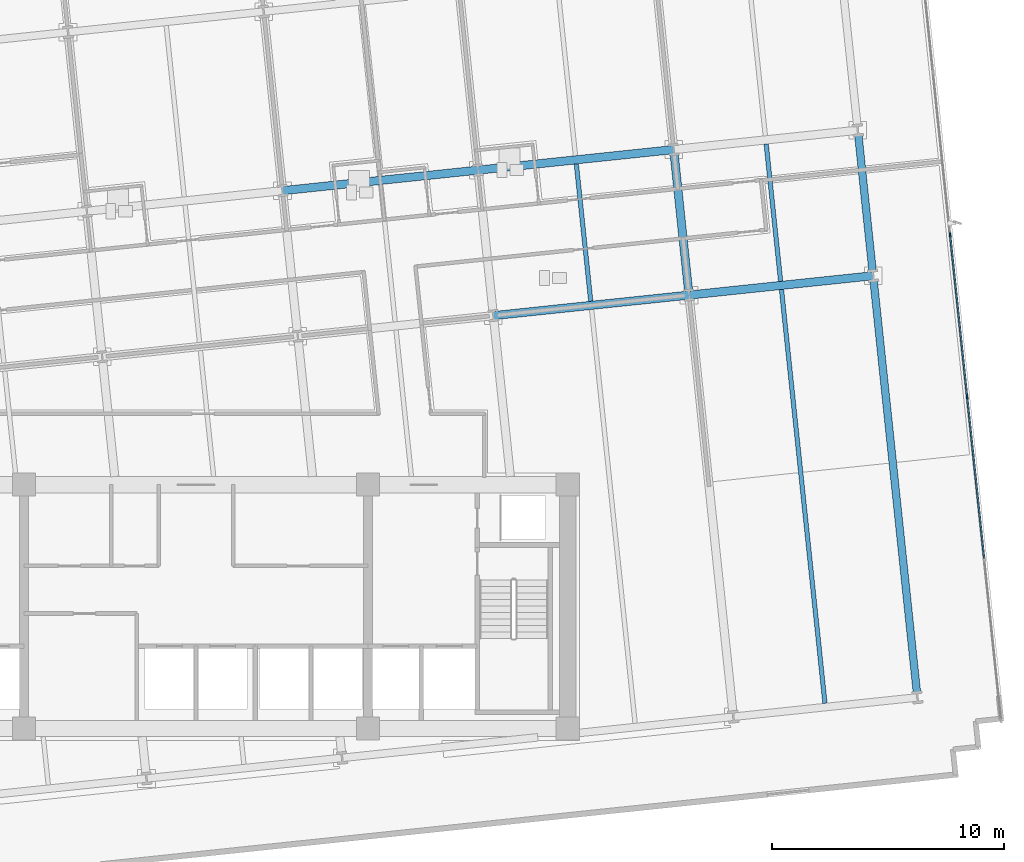
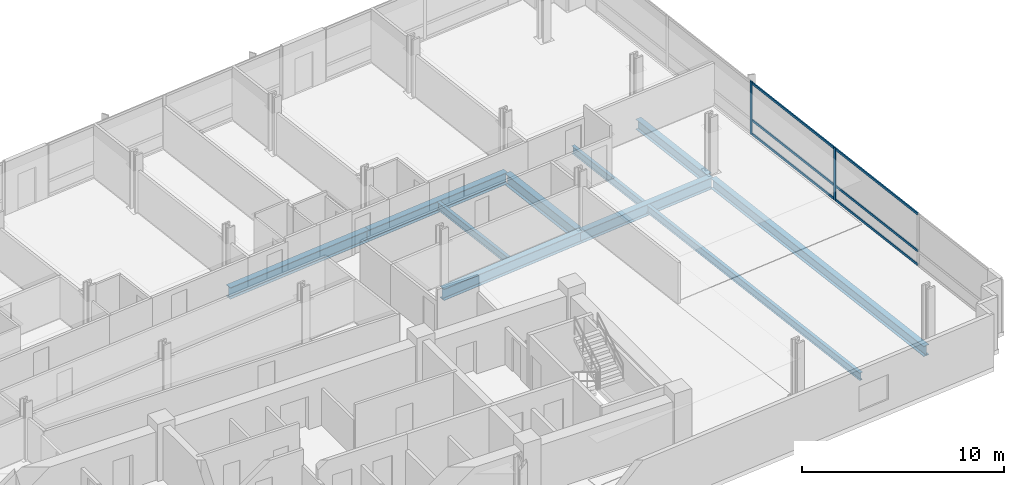
# One storey, part 5 of 18: 10 beams, 8 members, 1 element without a shape of its own.
"""IFC4 building model written with IfcOpenShell, lengths in metres."""

from ifc_helpers import new_model, si_unit, direction, frame, origin, origin_2d, place, context, subcontext, project, spatial, rectangle, i_section, extrude, material, material_profile, profile_set, type_object, element, aggregate, save


model = new_model("IFC4")

# Units and contexts
model_context = context("Model", 3, precision=1e-05, world=origin(), true_north=direction((0.0, 1.0)))
body_context = subcontext(model_context, "Body", "Model", "MODEL_VIEW")
ifc_project = project(units=[si_unit("LENGTHUNIT", "METRE"), si_unit("AREAUNIT", "SQUARE_METRE"), si_unit("VOLUMEUNIT", "CUBIC_METRE"), si_unit("PLANEANGLEUNIT", "RADIAN"), si_unit("MASSUNIT", "GRAM", prefix="KILO")], contexts=[model_context])

# Site, building, storey
site_placement = place(None, origin())
site = spatial("IfcSite", under=ifc_project, at=site_placement, CompositionType="ELEMENT")
building_placement = place(site_placement, origin())
building = spatial("IfcBuilding", under=site, at=building_placement, Name="Solmavex Isthmus Hotel", CompositionType="ELEMENT")
storey_placement = place(building_placement, frame((0.0, 0.0, 120.14990234375)))
storey = spatial("IfcBuildingStorey", under=building, at=storey_placement, Name="L32", CompositionType="ELEMENT", Elevation=120.14990234375)

# Beams
ifc_material_1 = material(Name="Steel ASTM A992 Grade 50", Category="steel")
ifc_material_profile_1 = material_profile(ifc_material_1, i_section(OverallWidth=0.354736328125, OverallDepth=0.695556640625, WebThickness=0.015380859375, FlangeThickness=0.02490234375, FilletRadius=0.017822265625, at=origin_2d()), Name="W27X146")
ifc_profile_set_1 = profile_set([ifc_material_profile_1], Name="Steel ASTM A992 Grade 50")
beam_type_1 = type_object("IfcBeamType", Name="BM-BG-W27X146", PredefinedType="BEAM", material=ifc_profile_set_1)
beam_1_placement = place(storey_placement, frame((12.800048828125, 4.7734375, -0.607666015625), z_axis=(0.994521085209, 0.104536171134, 0.0), x_axis=(-0.104536171134, 0.994521085209, 0.0)))
element("IfcBeam", 1, at=beam_1_placement, inside=storey, type_object=beam_type_1, Name="Floor Girder L32-UG11", PredefinedType="BEAM", context=body_context, shape_type="SweptSolid", body=[
    extrude(i_section(OverallWidth=0.354736328125, OverallDepth=0.695556640625, WebThickness=0.015380859375, FlangeThickness=0.02490234375, FilletRadius=0.017822265625, at=origin_2d()), origin(), (0.0, 0.0, 1.0), 8.466064453125),
])
beam_2_placement = place(storey_placement, frame((21.2197265625, 5.658447265625, -0.607666015625), z_axis=(0.994523402738, 0.104514120609, 0.0), x_axis=(-0.104514120609, 0.994523402738, 0.0)))
element("IfcBeam", 2, at=beam_2_placement, inside=storey, type_object=beam_type_1, Name="Floor Girder L32-UG12", PredefinedType="BEAM", context=body_context, shape_type="SweptSolid", body=[
    extrude(i_section(OverallWidth=0.354736328125, OverallDepth=0.695556640625, WebThickness=0.015380859375, FlangeThickness=0.02490234375, FilletRadius=0.017822265625, at=origin_2d()), origin(), (0.0, 0.0, 1.0), 7.968017578125),
])
for number, where, z_axis, x_axis, name in (
    (3, (3.72216796875, 10.152099609375, -0.607666015625), (0.994524082861, 0.104507648572, 0.0), (-0.104507648572, 0.994524082861, 0.0), "Floor Girder L32-UG16"),
    (4, (12.141845703125, 11.036865234375, -0.607666015625), (0.994521085209, 0.104536171134, 0.0), (-0.104536171134, 0.994521085209, 0.0), "Floor Girder L32-UG17"),
):
    element("IfcBeam", number, at=place(storey_placement, frame(where, z_axis=z_axis, x_axis=x_axis)), inside=storey, type_object=beam_type_1, Name=name, PredefinedType="BEAM", context=body_context, shape_type="SweptSolid", body=[
        extrude(i_section(OverallWidth=0.354736328125, OverallDepth=0.695556640625, WebThickness=0.015380859375, FlangeThickness=0.02490234375, FilletRadius=0.017822265625, at=origin_2d()), origin(), (0.0, 0.0, 1.0), 8.466064453125),
    ])
beam_3_placement = place(storey_placement, frame((21.201171875, 5.834716796875, -0.607666015625), z_axis=(-0.104505160346, 0.994524344328, 0.0), x_axis=(-0.994524344328, -0.104505160346, 0.0)))
element("IfcBeam", 5, at=beam_3_placement, inside=storey, type_object=beam_type_1, Name="Floor Beam L32-VG44", PredefinedType="BEAM", context=body_context, shape_type="SweptSolid", body=[
    extrude(i_section(OverallWidth=0.354736328125, OverallDepth=0.695556640625, WebThickness=0.015380859375, FlangeThickness=0.02490234375, FilletRadius=0.017822265625, at=origin_2d()), origin(), (0.0, 0.0, 1.0), 5.943115234375),
])
ifc_material_profile_2 = material_profile(ifc_material_1, i_section(OverallWidth=0.1904296875, OverallDepth=0.456787109375, WebThickness=0.009033203125, FlangeThickness=0.014404296875, FilletRadius=0.0126953125, at=origin_2d()), Name="W18X50")
ifc_profile_set_2 = profile_set([ifc_material_profile_2], Name="Steel ASTM A992 Grade 50")
beam_type_2 = type_object("IfcBeamType", Name="BM-BJ-W18X50", PredefinedType="JOIST", material=ifc_profile_set_2)
beam_4_placement = place(storey_placement, frame((16.991455078125, 5.392333984375, -0.48828125), z_axis=(-0.104545790518, 0.994520074048, 0.0), x_axis=(-0.994520074048, -0.104545790518, 0.0)))
element("IfcBeam", 6, at=beam_4_placement, inside=storey, type_object=beam_type_2, Name="Secondary Floor Joist L32-J17", PredefinedType="JOIST", context=body_context, shape_type="SweptSolid", body=[
    extrude(i_section(OverallWidth=0.1904296875, OverallDepth=0.456787109375, WebThickness=0.009033203125, FlangeThickness=0.014404296875, FilletRadius=0.0126953125, at=origin_2d()), origin(), (0.0, 0.0, 1.0), 5.943115234375),
])
beam_5_placement = place(storey_placement, frame((27.072509765625, -11.912841796875, -0.48828125), z_axis=(-0.104530088192, 0.99452172458, 0.0), x_axis=(-0.99452172458, -0.104530088192, 0.0)))
element("IfcBeam", 7, at=beam_5_placement, inside=storey, type_object=beam_type_2, Name="Secondary Floor Joist L32-J19", PredefinedType="JOIST", context=body_context, shape_type="SweptSolid", body=[
    extrude(i_section(OverallWidth=0.1904296875, OverallDepth=0.456787109375, WebThickness=0.009033203125, FlangeThickness=0.014404296875, FilletRadius=0.0126953125, at=origin_2d()), origin(), (0.0, 0.0, 1.0), 17.909423828125),
])
beam_6_placement = place(storey_placement, frame((25.163330078125, 6.251220703125, -0.48828125), z_axis=(-0.104505160346, 0.994524344328, 0.0), x_axis=(-0.994524344328, -0.104505160346, 0.0)))
element("IfcBeam", 8, at=beam_6_placement, inside=storey, type_object=beam_type_2, Name="Secondary Floor Joist L32-J20", PredefinedType="JOIST", context=body_context, shape_type="SweptSolid", body=[
    extrude(i_section(OverallWidth=0.1904296875, OverallDepth=0.456787109375, WebThickness=0.009033203125, FlangeThickness=0.014404296875, FilletRadius=0.0126953125, at=origin_2d()), origin(), (0.0, 0.0, 1.0), 5.943115234375),
])
ifc_material_profile_3 = material_profile(ifc_material_1, i_section(OverallWidth=0.326416015625, OverallDepth=0.621826171875, WebThickness=0.015380859375, FlangeThickness=0.0244140625, FilletRadius=0.01513671875, at=origin_2d()), Name="W24X131")
ifc_profile_set_3 = profile_set([ifc_material_profile_3], Name="Steel ASTM A992 Grade 50")
beam_type_3 = type_object("IfcBeamType", Name="BM-SP-W24X131", PredefinedType="SPANDREL", material=ifc_profile_set_3)
beam_7_placement = place(storey_placement, frame((31.03466796875, -11.496337890625, -0.57080078125), z_axis=(-0.104530088192, 0.99452172458, 0.0), x_axis=(-0.99452172458, -0.104530088192, 0.0)))
element("IfcBeam", 9, at=beam_7_placement, inside=storey, type_object=beam_type_3, Name="Floor Beam L32-VG46", PredefinedType="SPANDREL", context=body_context, shape_type="SweptSolid", body=[
    extrude(i_section(OverallWidth=0.326416015625, OverallDepth=0.621826171875, WebThickness=0.015380859375, FlangeThickness=0.0244140625, FilletRadius=0.01513671875, at=origin_2d()), origin(), (0.0, 0.0, 1.0), 17.909423828125),
])
beam_8_placement = place(storey_placement, frame((29.12548828125, 6.667724609375, -0.57080078125), z_axis=(-0.104505160346, 0.994524344328, 0.0), x_axis=(-0.994524344328, -0.104505160346, 0.0)))
element("IfcBeam", 10, at=beam_8_placement, inside=storey, type_object=beam_type_3, Name="Floor Beam L32-VG47", PredefinedType="SPANDREL", context=body_context, shape_type="SweptSolid", body=[
    extrude(i_section(OverallWidth=0.326416015625, OverallDepth=0.621826171875, WebThickness=0.015380859375, FlangeThickness=0.0244140625, FilletRadius=0.01513671875, at=origin_2d()), origin(), (0.0, 0.0, 1.0), 5.943115234375),
])

# Curtain wall, members
ifc_material_2 = material(Name="Aluminium alloy 6063-T6", Category="aluminium")
curtain_wall_type = type_object("IfcCurtainWallType", Name="CW-SYS-03", PredefinedType="NOTDEFINED", material=ifc_material_2)
curtain_wall_placement = place(storey_placement, origin())
curtain_wall = element("IfcCurtainWall", 11, at=curtain_wall_placement, inside=storey, type_object=curtain_wall_type, Name="Stick Curtain Wall CWL-L32-E1", PredefinedType="NOTDEFINED")
ifc_material_profile_4 = material_profile(ifc_material_2, rectangle(XDim=0.070068359375, YDim=0.179931640625, at=origin_2d()), Name="CWM-70X180")
ifc_profile_set_4 = profile_set([ifc_material_profile_4], Name="Aluminium alloy 6063-T6")
member_type_1 = type_object("IfcMemberType", Name="CW-SYS-03-MUL", PredefinedType="MULLION", material=ifc_profile_set_4)
member_1_placement = place(storey_placement, frame((33.19140625, 1.275634765625, 0.0), z_axis=(0.0, 0.0, 1.0), x_axis=(-0.994521893044, -0.104528485381, 0.0)))
member_1 = element("IfcMember", 12, at=member_1_placement, type_object=member_type_1, Name="CW-03 mullion 3", PredefinedType="MULLION", context=body_context, shape_type="SweptSolid", body=[
    extrude(rectangle(XDim=0.070068359375, YDim=0.179931640625, at=origin_2d()), origin(), (0.0, 0.0, 1.0), 3.190185546875),
])
member_2_placement = place(storey_placement, frame((32.45751953125, 8.25732421875, 0.0), z_axis=(0.0, 0.0, 1.0), x_axis=(-0.994521893044, -0.104528485381, 0.0)))
member_2 = element("IfcMember", 13, at=member_2_placement, type_object=member_type_1, Name="CW-03 mullion 4", PredefinedType="MULLION", context=body_context, shape_type="SweptSolid", body=[
    extrude(rectangle(XDim=0.070068359375, YDim=0.179931640625, at=origin_2d()), origin(), (0.0, 0.0, 1.0), 3.190185546875),
])
ifc_material_profile_5 = material_profile(ifc_material_2, rectangle(XDim=0.070068359375, YDim=0.139892578125, at=origin_2d()), Name="CWT-70X140")
ifc_profile_set_5 = profile_set([ifc_material_profile_5], Name="Aluminium alloy 6063-T6")
member_type_2 = type_object("IfcMemberType", Name="CW-SYS-03-TRN", PredefinedType="USERDEFINED", material=ifc_profile_set_5)
member_3_placement = place(storey_placement, frame((33.921630859375, -5.6708984375, 0.070068359375), z_axis=(-0.104542152467, 0.99452045648, 0.0), x_axis=(-0.99452045648, -0.104542152467, 0.0)))
member_3 = element("IfcMember", 14, at=member_3_placement, type_object=member_type_2, Name="CW-03 transom 2.1", ObjectType="TRANSOM", PredefinedType="USERDEFINED", context=body_context, shape_type="SweptSolid", body=[
    extrude(rectangle(XDim=0.070068359375, YDim=0.139892578125, at=origin_2d()), origin(), (0.0, 0.0, 1.0), 6.949951171875),
])
member_4_placement = place(storey_placement, frame((33.921630859375, -5.6708984375, 0.900146484375), z_axis=(-0.104542152467, 0.99452045648, 0.0), x_axis=(-0.99452045648, -0.104542152467, 0.0)))
member_4 = element("IfcMember", 15, at=member_4_placement, type_object=member_type_2, Name="CW-03 transom 2.2", ObjectType="TRANSOM", PredefinedType="USERDEFINED", context=body_context, shape_type="SweptSolid", body=[
    extrude(rectangle(XDim=0.070068359375, YDim=0.139892578125, at=origin_2d()), origin(), (0.0, 0.0, 1.0), 6.949951171875),
])
member_5_placement = place(storey_placement, frame((33.921630859375, -5.6708984375, 3.1201171875), z_axis=(-0.104542152467, 0.99452045648, 0.0), x_axis=(-0.99452045648, -0.104542152467, 0.0)))
member_5 = element("IfcMember", 16, at=member_5_placement, type_object=member_type_2, Name="CW-03 transom 2.3", ObjectType="TRANSOM", PredefinedType="USERDEFINED", context=body_context, shape_type="SweptSolid", body=[
    extrude(rectangle(XDim=0.070068359375, YDim=0.139892578125, at=origin_2d()), origin(), (0.0, 0.0, 1.0), 6.949951171875),
])
member_6_placement = place(storey_placement, frame((33.187744140625, 1.310546875, 0.070068359375), z_axis=(-0.104542152467, 0.99452045648, 0.0), x_axis=(-0.99452045648, -0.104542152467, 0.0)))
member_6 = element("IfcMember", 17, at=member_6_placement, type_object=member_type_2, Name="CW-03 transom 3.1", ObjectType="TRANSOM", PredefinedType="USERDEFINED", context=body_context, shape_type="SweptSolid", body=[
    extrude(rectangle(XDim=0.070068359375, YDim=0.139892578125, at=origin_2d()), origin(), (0.0, 0.0, 1.0), 6.949951171875),
])
member_7_placement = place(storey_placement, frame((33.187744140625, 1.310546875, 0.900146484375), z_axis=(-0.104542152467, 0.99452045648, 0.0), x_axis=(-0.99452045648, -0.104542152467, 0.0)))
member_7 = element("IfcMember", 18, at=member_7_placement, type_object=member_type_2, Name="CW-03 transom 3.2", ObjectType="TRANSOM", PredefinedType="USERDEFINED", context=body_context, shape_type="SweptSolid", body=[
    extrude(rectangle(XDim=0.070068359375, YDim=0.139892578125, at=origin_2d()), origin(), (0.0, 0.0, 1.0), 6.949951171875),
])
member_8_placement = place(storey_placement, frame((33.187744140625, 1.310546875, 3.1201171875), z_axis=(-0.104542152467, 0.99452045648, 0.0), x_axis=(-0.99452045648, -0.104542152467, 0.0)))
member_8 = element("IfcMember", 19, at=member_8_placement, type_object=member_type_2, Name="CW-03 transom 3.3", ObjectType="TRANSOM", PredefinedType="USERDEFINED", context=body_context, shape_type="SweptSolid", body=[
    extrude(rectangle(XDim=0.070068359375, YDim=0.139892578125, at=origin_2d()), origin(), (0.0, 0.0, 1.0), 6.949951171875),
])
aggregate(curtain_wall, [member_1, member_2, member_3, member_4, member_5, member_6, member_7, member_8])

save(model, "model.ifc")
